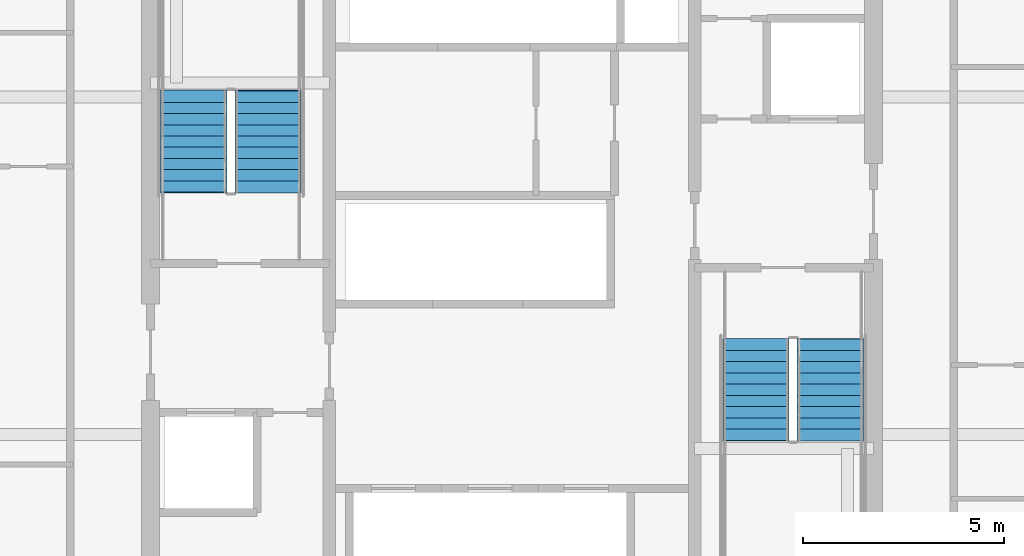
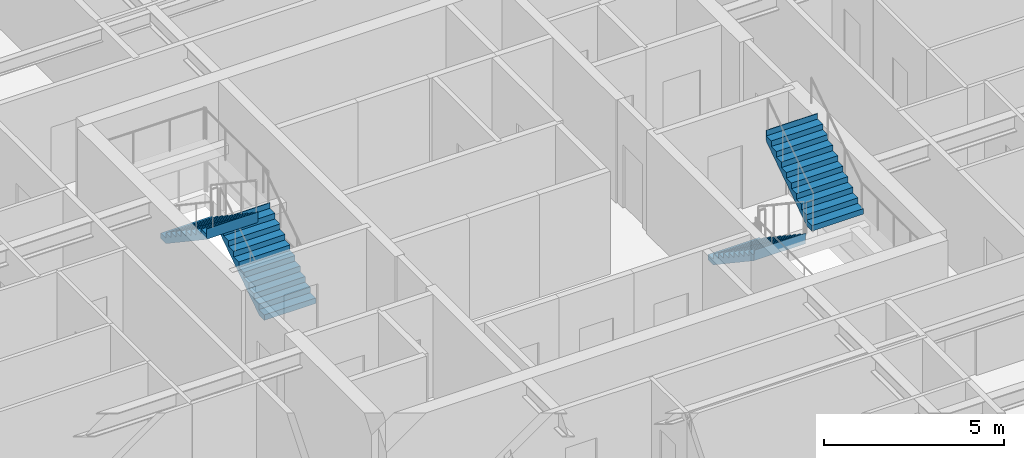
# One storey, part 32 of 37: 4 stair flights, 2 elements without a shape of their own.
"""IFC4 building model written with IfcOpenShell, lengths in metres."""

from ifc_helpers import new_model, si_unit, direction, frame, origin, place, context, subcontext, project, spatial, polygons, material, type_object, element, aggregate, save


model = new_model("IFC4")

# Units and contexts
model_context = context("Model", 3, precision=1e-05, world=origin(), true_north=direction((0.0, 1.0)))
body_context = subcontext(model_context, "Body", "Model", "MODEL_VIEW")
ifc_project = project(units=[si_unit("LENGTHUNIT", "METRE"), si_unit("AREAUNIT", "SQUARE_METRE"), si_unit("VOLUMEUNIT", "CUBIC_METRE"), si_unit("PLANEANGLEUNIT", "RADIAN"), si_unit("MASSUNIT", "GRAM", prefix="KILO")], contexts=[model_context])

# Site, building, storey
site_placement = place(None, origin())
site = spatial("IfcSite", under=ifc_project, at=site_placement, CompositionType="ELEMENT")
building_placement = place(site_placement, origin())
building = spatial("IfcBuilding", under=site, at=building_placement, Name="Serunith Strait Residences", CompositionType="ELEMENT")
storey_placement = place(building_placement, frame((0.0, 0.0, 26.699951171875)))
storey = spatial("IfcBuildingStorey", under=building, at=storey_placement, Name="L05", CompositionType="ELEMENT", Elevation=26.699951171875)

# Stair, stair flights
ifc_material = material(Name="Concrete C50/60", Category="concrete")
stair_type_1 = type_object("IfcStairType", Name="STR-CORE-1", PredefinedType="HALF_TURN_STAIR", material=ifc_material)
stair_1_placement = place(storey_placement, origin())
stair_1 = element("IfcStair", 1, at=stair_1_placement, inside=storey, type_object=stair_type_1, Name="L05 Protected Escape Stair ST-1", PredefinedType="HALF_TURN_STAIR")
stair_flight_type_1 = type_object("IfcStairFlightType", Name="FLT-CORE-1", PredefinedType="STRAIGHT", material=ifc_material)
stair_flight_1_placement = place(storey_placement, frame((26.324951171875, 27.030029296875, 0.0), z_axis=(0.0, 0.0, 1.0), x_axis=(0.0, 1.0, 0.0)))
stair_flight_1 = element("IfcStairFlight", 2, at=stair_flight_1_placement, type_object=stair_flight_type_1, Name="ST-1 flight 1", NumberOfRisers=10, NumberOfTreads=9, PredefinedType="STRAIGHT", RiserHeight=0.1875, TreadLength=0.28, context=body_context, shape_type="Tessellation", body=[
    polygons([(-0.02001953125, -0.824951171875, 0.0), (-0.02001953125, -0.824951171875, 0.1875), (0.280029296875, -0.824951171875, 0.1875), (0.280029296875, -0.824951171875, 0.375), (0.56005859375, -0.824951171875, 0.375), (0.56005859375, -0.824951171875, 0.5625), (0.840087890625, -0.824951171875, 0.5625), (0.840087890625, -0.824951171875, 0.75), (1.1201171875, -0.824951171875, 0.75), (1.1201171875, -0.824951171875, 0.9375), (1.39990234375, -0.824951171875, 0.9375), (1.39990234375, -0.824951171875, 1.125), (1.679931640625, -0.824951171875, 1.125), (1.679931640625, -0.824951171875, 1.3125), (1.9599609375, -0.824951171875, 1.3125), (1.9599609375, -0.824951171875, 1.5), (2.239990234375, -0.824951171875, 1.5), (2.239990234375, -0.824951171875, 1.6875), (2.52001953125, -0.824951171875, 1.6875), (2.52001953125, -0.824951171875, 1.875), (2.5400390625, -0.824951171875, 1.875), (2.5400390625, -0.824951171875, 1.81494140625), (2.52001953125, -0.824951171875, 1.507080078125), (0.26953125, -0.824951171875, 0.0), (-0.02001953125, -0.41259765625, 0.0), (-0.02001953125, -0.41259765625, 0.1875), (0.280029296875, -0.41259765625, 0.1875), (0.280029296875, -0.41259765625, 0.375), (0.56005859375, -0.41259765625, 0.375), (0.56005859375, -0.41259765625, 0.5625), (0.840087890625, -0.41259765625, 0.5625), (0.840087890625, -0.41259765625, 0.75), (1.1201171875, -0.41259765625, 0.75), (1.1201171875, -0.41259765625, 0.9375), (1.39990234375, -0.41259765625, 0.9375), (1.39990234375, -0.41259765625, 1.125), (1.679931640625, -0.41259765625, 1.125), (1.679931640625, -0.41259765625, 1.3125), (1.9599609375, -0.41259765625, 1.3125), (1.9599609375, -0.41259765625, 1.5), (2.239990234375, -0.41259765625, 1.5), (2.239990234375, -0.41259765625, 1.6875), (2.52001953125, -0.41259765625, 1.6875), (2.52001953125, -0.41259765625, 1.875), (2.5400390625, -0.41259765625, 1.875), (2.5400390625, -0.41259765625, 1.81494140625), (2.52001953125, -0.41259765625, 1.507080078125), (0.26953125, -0.41259765625, 0.0), (-0.02001953125, 0.0, 0.0), (-0.02001953125, 0.0, 0.1875), (0.280029296875, 0.0, 0.1875), (0.280029296875, 0.0, 0.375), (0.56005859375, 0.0, 0.375), (0.56005859375, 0.0, 0.5625), (0.840087890625, 0.0, 0.5625), (0.840087890625, 0.0, 0.75), (1.1201171875, 0.0, 0.75), (1.1201171875, 0.0, 0.9375), (1.39990234375, 0.0, 0.9375), (1.39990234375, 0.0, 1.125), (1.679931640625, 0.0, 1.125), (1.679931640625, 0.0, 1.3125), (1.9599609375, 0.0, 1.3125), (1.9599609375, 0.0, 1.5), (2.239990234375, 0.0, 1.5), (2.239990234375, 0.0, 1.6875), (2.52001953125, 0.0, 1.6875), (2.52001953125, 0.0, 1.875), (2.5400390625, 0.0, 1.875), (2.5400390625, 0.0, 1.81494140625), (2.52001953125, 0.0, 1.507080078125), (0.26953125, 0.0, 0.0), (-0.02001953125, 0.41259765625, 0.0), (-0.02001953125, 0.41259765625, 0.1875), (0.280029296875, 0.41259765625, 0.1875), (0.280029296875, 0.41259765625, 0.375), (0.56005859375, 0.41259765625, 0.375), (0.56005859375, 0.41259765625, 0.5625), (0.840087890625, 0.41259765625, 0.5625), (0.840087890625, 0.41259765625, 0.75), (1.1201171875, 0.41259765625, 0.75), (1.1201171875, 0.41259765625, 0.9375), (1.39990234375, 0.41259765625, 0.9375), (1.39990234375, 0.41259765625, 1.125), (1.679931640625, 0.41259765625, 1.125), (1.679931640625, 0.41259765625, 1.3125), (1.9599609375, 0.41259765625, 1.3125), (1.9599609375, 0.41259765625, 1.5), (2.239990234375, 0.41259765625, 1.5), (2.239990234375, 0.41259765625, 1.6875), (2.52001953125, 0.41259765625, 1.6875), (2.52001953125, 0.41259765625, 1.875), (2.5400390625, 0.41259765625, 1.875), (2.5400390625, 0.41259765625, 1.81494140625), (2.52001953125, 0.41259765625, 1.507080078125), (0.26953125, 0.41259765625, 0.0), (-0.02001953125, 0.824951171875, 0.0), (-0.02001953125, 0.824951171875, 0.1875), (0.280029296875, 0.824951171875, 0.1875), (0.280029296875, 0.824951171875, 0.375), (0.56005859375, 0.824951171875, 0.375), (0.56005859375, 0.824951171875, 0.5625), (0.840087890625, 0.824951171875, 0.5625), (0.840087890625, 0.824951171875, 0.75), (1.1201171875, 0.824951171875, 0.75), (1.1201171875, 0.824951171875, 0.9375), (1.39990234375, 0.824951171875, 0.9375), (1.39990234375, 0.824951171875, 1.125), (1.679931640625, 0.824951171875, 1.125), (1.679931640625, 0.824951171875, 1.3125), (1.9599609375, 0.824951171875, 1.3125), (1.9599609375, 0.824951171875, 1.5), (2.239990234375, 0.824951171875, 1.5), (2.239990234375, 0.824951171875, 1.6875), (2.52001953125, 0.824951171875, 1.6875), (2.52001953125, 0.824951171875, 1.875), (2.5400390625, 0.824951171875, 1.875), (2.5400390625, 0.824951171875, 1.81494140625), (2.52001953125, 0.824951171875, 1.507080078125), (0.26953125, 0.824951171875, 0.0)], [[[1, 2, 26, 25]], [[2, 3, 27, 26]], [[3, 4, 28, 27]], [[4, 5, 29, 28]], [[5, 6, 30, 29]], [[6, 7, 31, 30]], [[7, 8, 32, 31]], [[8, 9, 33, 32]], [[9, 10, 34, 33]], [[10, 11, 35, 34]], [[11, 12, 36, 35]], [[12, 13, 37, 36]], [[13, 14, 38, 37]], [[14, 15, 39, 38]], [[15, 16, 40, 39]], [[16, 17, 41, 40]], [[17, 18, 42, 41]], [[18, 19, 43, 42]], [[19, 20, 44, 43]], [[20, 21, 45, 44]], [[21, 22, 46, 45]], [[22, 23, 47, 46]], [[23, 24, 48, 47]], [[24, 1, 25, 48]], [[25, 26, 50, 49]], [[26, 27, 51, 50]], [[27, 28, 52, 51]], [[28, 29, 53, 52]], [[29, 30, 54, 53]], [[30, 31, 55, 54]], [[31, 32, 56, 55]], [[32, 33, 57, 56]], [[33, 34, 58, 57]], [[34, 35, 59, 58]], [[35, 36, 60, 59]], [[36, 37, 61, 60]], [[37, 38, 62, 61]], [[38, 39, 63, 62]], [[39, 40, 64, 63]], [[40, 41, 65, 64]], [[41, 42, 66, 65]], [[42, 43, 67, 66]], [[43, 44, 68, 67]], [[44, 45, 69, 68]], [[45, 46, 70, 69]], [[46, 47, 71, 70]], [[47, 48, 72, 71]], [[48, 25, 49, 72]], [[49, 50, 74, 73]], [[50, 51, 75, 74]], [[51, 52, 76, 75]], [[52, 53, 77, 76]], [[53, 54, 78, 77]], [[54, 55, 79, 78]], [[55, 56, 80, 79]], [[56, 57, 81, 80]], [[57, 58, 82, 81]], [[58, 59, 83, 82]], [[59, 60, 84, 83]], [[60, 61, 85, 84]], [[61, 62, 86, 85]], [[62, 63, 87, 86]], [[63, 64, 88, 87]], [[64, 65, 89, 88]], [[65, 66, 90, 89]], [[66, 67, 91, 90]], [[67, 68, 92, 91]], [[68, 69, 93, 92]], [[69, 70, 94, 93]], [[70, 71, 95, 94]], [[71, 72, 96, 95]], [[72, 49, 73, 96]], [[73, 74, 98, 97]], [[74, 75, 99, 98]], [[75, 76, 100, 99]], [[76, 77, 101, 100]], [[77, 78, 102, 101]], [[78, 79, 103, 102]], [[79, 80, 104, 103]], [[80, 81, 105, 104]], [[81, 82, 106, 105]], [[82, 83, 107, 106]], [[83, 84, 108, 107]], [[84, 85, 109, 108]], [[85, 86, 110, 109]], [[86, 87, 111, 110]], [[87, 88, 112, 111]], [[88, 89, 113, 112]], [[89, 90, 114, 113]], [[90, 91, 115, 114]], [[91, 92, 116, 115]], [[92, 93, 117, 116]], [[93, 94, 118, 117]], [[94, 95, 119, 118]], [[95, 96, 120, 119]], [[96, 73, 97, 120]], [[24, 23, 22, 21, 20, 19, 18, 17, 16, 15, 14, 13, 12, 11, 10, 9, 8, 7, 6, 5, 4, 3, 2, 1]], [[97, 98, 99, 100, 101, 102, 103, 104, 105, 106, 107, 108, 109, 110, 111, 112, 113, 114, 115, 116, 117, 118, 119, 120]]], closed=True),
])
stair_flight_2_placement = place(storey_placement, frame((24.47509765625, 29.550048828125, 1.875), z_axis=(0.0, 0.0, 1.0), x_axis=(0.0, -1.0, 0.0)))
stair_flight_2 = element("IfcStairFlight", 3, at=stair_flight_2_placement, type_object=stair_flight_type_1, Name="ST-1 flight 2", NumberOfRisers=10, NumberOfTreads=9, PredefinedType="STRAIGHT", RiserHeight=0.1875, TreadLength=0.28, context=body_context, shape_type="Tessellation", body=[
    polygons([(-0.02001953125, -0.824951171875, 0.0), (-0.02001953125, -0.824951171875, 0.1875), (0.280029296875, -0.824951171875, 0.1875), (0.280029296875, -0.824951171875, 0.375), (0.56005859375, -0.824951171875, 0.375), (0.56005859375, -0.824951171875, 0.5625), (0.840087890625, -0.824951171875, 0.5625), (0.840087890625, -0.824951171875, 0.75), (1.1201171875, -0.824951171875, 0.75), (1.1201171875, -0.824951171875, 0.9375), (1.39990234375, -0.824951171875, 0.9375), (1.39990234375, -0.824951171875, 1.125), (1.679931640625, -0.824951171875, 1.125), (1.679931640625, -0.824951171875, 1.3125), (1.9599609375, -0.824951171875, 1.3125), (1.9599609375, -0.824951171875, 1.5), (2.239990234375, -0.824951171875, 1.5), (2.239990234375, -0.824951171875, 1.6875), (2.52001953125, -0.824951171875, 1.6875), (2.52001953125, -0.824951171875, 1.875), (2.5400390625, -0.824951171875, 1.875), (2.5400390625, -0.824951171875, 1.81494140625), (2.52001953125, -0.824951171875, 1.507080078125), (0.26953125, -0.824951171875, 0.0), (-0.02001953125, -0.41259765625, 0.0), (-0.02001953125, -0.41259765625, 0.1875), (0.280029296875, -0.41259765625, 0.1875), (0.280029296875, -0.41259765625, 0.375), (0.56005859375, -0.41259765625, 0.375), (0.56005859375, -0.41259765625, 0.5625), (0.840087890625, -0.41259765625, 0.5625), (0.840087890625, -0.41259765625, 0.75), (1.1201171875, -0.41259765625, 0.75), (1.1201171875, -0.41259765625, 0.9375), (1.39990234375, -0.41259765625, 0.9375), (1.39990234375, -0.41259765625, 1.125), (1.679931640625, -0.41259765625, 1.125), (1.679931640625, -0.41259765625, 1.3125), (1.9599609375, -0.41259765625, 1.3125), (1.9599609375, -0.41259765625, 1.5), (2.239990234375, -0.41259765625, 1.5), (2.239990234375, -0.41259765625, 1.6875), (2.52001953125, -0.41259765625, 1.6875), (2.52001953125, -0.41259765625, 1.875), (2.5400390625, -0.41259765625, 1.875), (2.5400390625, -0.41259765625, 1.81494140625), (2.52001953125, -0.41259765625, 1.507080078125), (0.26953125, -0.41259765625, 0.0), (-0.02001953125, 0.0, 0.0), (-0.02001953125, 0.0, 0.1875), (0.280029296875, 0.0, 0.1875), (0.280029296875, 0.0, 0.375), (0.56005859375, 0.0, 0.375), (0.56005859375, 0.0, 0.5625), (0.840087890625, 0.0, 0.5625), (0.840087890625, 0.0, 0.75), (1.1201171875, 0.0, 0.75), (1.1201171875, 0.0, 0.9375), (1.39990234375, 0.0, 0.9375), (1.39990234375, 0.0, 1.125), (1.679931640625, 0.0, 1.125), (1.679931640625, 0.0, 1.3125), (1.9599609375, 0.0, 1.3125), (1.9599609375, 0.0, 1.5), (2.239990234375, 0.0, 1.5), (2.239990234375, 0.0, 1.6875), (2.52001953125, 0.0, 1.6875), (2.52001953125, 0.0, 1.875), (2.5400390625, 0.0, 1.875), (2.5400390625, 0.0, 1.81494140625), (2.52001953125, 0.0, 1.507080078125), (0.26953125, 0.0, 0.0), (-0.02001953125, 0.41259765625, 0.0), (-0.02001953125, 0.41259765625, 0.1875), (0.280029296875, 0.41259765625, 0.1875), (0.280029296875, 0.41259765625, 0.375), (0.56005859375, 0.41259765625, 0.375), (0.56005859375, 0.41259765625, 0.5625), (0.840087890625, 0.41259765625, 0.5625), (0.840087890625, 0.41259765625, 0.75), (1.1201171875, 0.41259765625, 0.75), (1.1201171875, 0.41259765625, 0.9375), (1.39990234375, 0.41259765625, 0.9375), (1.39990234375, 0.41259765625, 1.125), (1.679931640625, 0.41259765625, 1.125), (1.679931640625, 0.41259765625, 1.3125), (1.9599609375, 0.41259765625, 1.3125), (1.9599609375, 0.41259765625, 1.5), (2.239990234375, 0.41259765625, 1.5), (2.239990234375, 0.41259765625, 1.6875), (2.52001953125, 0.41259765625, 1.6875), (2.52001953125, 0.41259765625, 1.875), (2.5400390625, 0.41259765625, 1.875), (2.5400390625, 0.41259765625, 1.81494140625), (2.52001953125, 0.41259765625, 1.507080078125), (0.26953125, 0.41259765625, 0.0), (-0.02001953125, 0.824951171875, 0.0), (-0.02001953125, 0.824951171875, 0.1875), (0.280029296875, 0.824951171875, 0.1875), (0.280029296875, 0.824951171875, 0.375), (0.56005859375, 0.824951171875, 0.375), (0.56005859375, 0.824951171875, 0.5625), (0.840087890625, 0.824951171875, 0.5625), (0.840087890625, 0.824951171875, 0.75), (1.1201171875, 0.824951171875, 0.75), (1.1201171875, 0.824951171875, 0.9375), (1.39990234375, 0.824951171875, 0.9375), (1.39990234375, 0.824951171875, 1.125), (1.679931640625, 0.824951171875, 1.125), (1.679931640625, 0.824951171875, 1.3125), (1.9599609375, 0.824951171875, 1.3125), (1.9599609375, 0.824951171875, 1.5), (2.239990234375, 0.824951171875, 1.5), (2.239990234375, 0.824951171875, 1.6875), (2.52001953125, 0.824951171875, 1.6875), (2.52001953125, 0.824951171875, 1.875), (2.5400390625, 0.824951171875, 1.875), (2.5400390625, 0.824951171875, 1.81494140625), (2.52001953125, 0.824951171875, 1.507080078125), (0.26953125, 0.824951171875, 0.0)], [[[1, 2, 26, 25]], [[2, 3, 27, 26]], [[3, 4, 28, 27]], [[4, 5, 29, 28]], [[5, 6, 30, 29]], [[6, 7, 31, 30]], [[7, 8, 32, 31]], [[8, 9, 33, 32]], [[9, 10, 34, 33]], [[10, 11, 35, 34]], [[11, 12, 36, 35]], [[12, 13, 37, 36]], [[13, 14, 38, 37]], [[14, 15, 39, 38]], [[15, 16, 40, 39]], [[16, 17, 41, 40]], [[17, 18, 42, 41]], [[18, 19, 43, 42]], [[19, 20, 44, 43]], [[20, 21, 45, 44]], [[21, 22, 46, 45]], [[22, 23, 47, 46]], [[23, 24, 48, 47]], [[24, 1, 25, 48]], [[25, 26, 50, 49]], [[26, 27, 51, 50]], [[27, 28, 52, 51]], [[28, 29, 53, 52]], [[29, 30, 54, 53]], [[30, 31, 55, 54]], [[31, 32, 56, 55]], [[32, 33, 57, 56]], [[33, 34, 58, 57]], [[34, 35, 59, 58]], [[35, 36, 60, 59]], [[36, 37, 61, 60]], [[37, 38, 62, 61]], [[38, 39, 63, 62]], [[39, 40, 64, 63]], [[40, 41, 65, 64]], [[41, 42, 66, 65]], [[42, 43, 67, 66]], [[43, 44, 68, 67]], [[44, 45, 69, 68]], [[45, 46, 70, 69]], [[46, 47, 71, 70]], [[47, 48, 72, 71]], [[48, 25, 49, 72]], [[49, 50, 74, 73]], [[50, 51, 75, 74]], [[51, 52, 76, 75]], [[52, 53, 77, 76]], [[53, 54, 78, 77]], [[54, 55, 79, 78]], [[55, 56, 80, 79]], [[56, 57, 81, 80]], [[57, 58, 82, 81]], [[58, 59, 83, 82]], [[59, 60, 84, 83]], [[60, 61, 85, 84]], [[61, 62, 86, 85]], [[62, 63, 87, 86]], [[63, 64, 88, 87]], [[64, 65, 89, 88]], [[65, 66, 90, 89]], [[66, 67, 91, 90]], [[67, 68, 92, 91]], [[68, 69, 93, 92]], [[69, 70, 94, 93]], [[70, 71, 95, 94]], [[71, 72, 96, 95]], [[72, 49, 73, 96]], [[73, 74, 98, 97]], [[74, 75, 99, 98]], [[75, 76, 100, 99]], [[76, 77, 101, 100]], [[77, 78, 102, 101]], [[78, 79, 103, 102]], [[79, 80, 104, 103]], [[80, 81, 105, 104]], [[81, 82, 106, 105]], [[82, 83, 107, 106]], [[83, 84, 108, 107]], [[84, 85, 109, 108]], [[85, 86, 110, 109]], [[86, 87, 111, 110]], [[87, 88, 112, 111]], [[88, 89, 113, 112]], [[89, 90, 114, 113]], [[90, 91, 115, 114]], [[91, 92, 116, 115]], [[92, 93, 117, 116]], [[93, 94, 118, 117]], [[94, 95, 119, 118]], [[95, 96, 120, 119]], [[96, 73, 97, 120]], [[24, 23, 22, 21, 20, 19, 18, 17, 16, 15, 14, 13, 12, 11, 10, 9, 8, 7, 6, 5, 4, 3, 2, 1]], [[97, 98, 99, 100, 101, 102, 103, 104, 105, 106, 107, 108, 109, 110, 111, 112, 113, 114, 115, 116, 117, 118, 119, 120]]], closed=True),
])
aggregate(stair_1, [stair_flight_1, stair_flight_2])

stair_type_2 = type_object("IfcStairType", Name="STR-CORE-2", PredefinedType="HALF_TURN_STAIR", material=ifc_material)
stair_2_placement = place(storey_placement, origin())
stair_2 = element("IfcStair", 4, at=stair_2_placement, inside=storey, type_object=stair_type_2, Name="L05 Protected Escape Stair ST-2", PredefinedType="HALF_TURN_STAIR")
stair_flight_type_2 = type_object("IfcStairFlightType", Name="FLT-CORE-2", PredefinedType="STRAIGHT", material=ifc_material)
stair_flight_3_placement = place(storey_placement, frame((38.47509765625, 23.3701171875, 0.0), z_axis=(0.0, 0.0, 1.0), x_axis=(0.0, -1.0, 0.0)))
stair_flight_3 = element("IfcStairFlight", 5, at=stair_flight_3_placement, type_object=stair_flight_type_2, Name="ST-2 flight 1", NumberOfRisers=10, NumberOfTreads=9, PredefinedType="STRAIGHT", RiserHeight=0.1875, TreadLength=0.28, context=body_context, shape_type="Tessellation", body=[
    polygons([(-0.02001953125, -0.824951171875, 0.0), (-0.02001953125, -0.824951171875, 0.1875), (0.280029296875, -0.824951171875, 0.1875), (0.280029296875, -0.824951171875, 0.375), (0.56005859375, -0.824951171875, 0.375), (0.56005859375, -0.824951171875, 0.5625), (0.840087890625, -0.824951171875, 0.5625), (0.840087890625, -0.824951171875, 0.75), (1.1201171875, -0.824951171875, 0.75), (1.1201171875, -0.824951171875, 0.9375), (1.39990234375, -0.824951171875, 0.9375), (1.39990234375, -0.824951171875, 1.125), (1.679931640625, -0.824951171875, 1.125), (1.679931640625, -0.824951171875, 1.3125), (1.9599609375, -0.824951171875, 1.3125), (1.9599609375, -0.824951171875, 1.5), (2.239990234375, -0.824951171875, 1.5), (2.239990234375, -0.824951171875, 1.6875), (2.52001953125, -0.824951171875, 1.6875), (2.52001953125, -0.824951171875, 1.875), (2.5400390625, -0.824951171875, 1.875), (2.5400390625, -0.824951171875, 1.81494140625), (2.52001953125, -0.824951171875, 1.507080078125), (0.26953125, -0.824951171875, 0.0), (-0.02001953125, -0.41259765625, 0.0), (-0.02001953125, -0.41259765625, 0.1875), (0.280029296875, -0.41259765625, 0.1875), (0.280029296875, -0.41259765625, 0.375), (0.56005859375, -0.41259765625, 0.375), (0.56005859375, -0.41259765625, 0.5625), (0.840087890625, -0.41259765625, 0.5625), (0.840087890625, -0.41259765625, 0.75), (1.1201171875, -0.41259765625, 0.75), (1.1201171875, -0.41259765625, 0.9375), (1.39990234375, -0.41259765625, 0.9375), (1.39990234375, -0.41259765625, 1.125), (1.679931640625, -0.41259765625, 1.125), (1.679931640625, -0.41259765625, 1.3125), (1.9599609375, -0.41259765625, 1.3125), (1.9599609375, -0.41259765625, 1.5), (2.239990234375, -0.41259765625, 1.5), (2.239990234375, -0.41259765625, 1.6875), (2.52001953125, -0.41259765625, 1.6875), (2.52001953125, -0.41259765625, 1.875), (2.5400390625, -0.41259765625, 1.875), (2.5400390625, -0.41259765625, 1.81494140625), (2.52001953125, -0.41259765625, 1.507080078125), (0.26953125, -0.41259765625, 0.0), (-0.02001953125, 0.0, 0.0), (-0.02001953125, 0.0, 0.1875), (0.280029296875, 0.0, 0.1875), (0.280029296875, 0.0, 0.375), (0.56005859375, 0.0, 0.375), (0.56005859375, 0.0, 0.5625), (0.840087890625, 0.0, 0.5625), (0.840087890625, 0.0, 0.75), (1.1201171875, 0.0, 0.75), (1.1201171875, 0.0, 0.9375), (1.39990234375, 0.0, 0.9375), (1.39990234375, 0.0, 1.125), (1.679931640625, 0.0, 1.125), (1.679931640625, 0.0, 1.3125), (1.9599609375, 0.0, 1.3125), (1.9599609375, 0.0, 1.5), (2.239990234375, 0.0, 1.5), (2.239990234375, 0.0, 1.6875), (2.52001953125, 0.0, 1.6875), (2.52001953125, 0.0, 1.875), (2.5400390625, 0.0, 1.875), (2.5400390625, 0.0, 1.81494140625), (2.52001953125, 0.0, 1.507080078125), (0.26953125, 0.0, 0.0), (-0.02001953125, 0.41259765625, 0.0), (-0.02001953125, 0.41259765625, 0.1875), (0.280029296875, 0.41259765625, 0.1875), (0.280029296875, 0.41259765625, 0.375), (0.56005859375, 0.41259765625, 0.375), (0.56005859375, 0.41259765625, 0.5625), (0.840087890625, 0.41259765625, 0.5625), (0.840087890625, 0.41259765625, 0.75), (1.1201171875, 0.41259765625, 0.75), (1.1201171875, 0.41259765625, 0.9375), (1.39990234375, 0.41259765625, 0.9375), (1.39990234375, 0.41259765625, 1.125), (1.679931640625, 0.41259765625, 1.125), (1.679931640625, 0.41259765625, 1.3125), (1.9599609375, 0.41259765625, 1.3125), (1.9599609375, 0.41259765625, 1.5), (2.239990234375, 0.41259765625, 1.5), (2.239990234375, 0.41259765625, 1.6875), (2.52001953125, 0.41259765625, 1.6875), (2.52001953125, 0.41259765625, 1.875), (2.5400390625, 0.41259765625, 1.875), (2.5400390625, 0.41259765625, 1.81494140625), (2.52001953125, 0.41259765625, 1.507080078125), (0.26953125, 0.41259765625, 0.0), (-0.02001953125, 0.824951171875, 0.0), (-0.02001953125, 0.824951171875, 0.1875), (0.280029296875, 0.824951171875, 0.1875), (0.280029296875, 0.824951171875, 0.375), (0.56005859375, 0.824951171875, 0.375), (0.56005859375, 0.824951171875, 0.5625), (0.840087890625, 0.824951171875, 0.5625), (0.840087890625, 0.824951171875, 0.75), (1.1201171875, 0.824951171875, 0.75), (1.1201171875, 0.824951171875, 0.9375), (1.39990234375, 0.824951171875, 0.9375), (1.39990234375, 0.824951171875, 1.125), (1.679931640625, 0.824951171875, 1.125), (1.679931640625, 0.824951171875, 1.3125), (1.9599609375, 0.824951171875, 1.3125), (1.9599609375, 0.824951171875, 1.5), (2.239990234375, 0.824951171875, 1.5), (2.239990234375, 0.824951171875, 1.6875), (2.52001953125, 0.824951171875, 1.6875), (2.52001953125, 0.824951171875, 1.875), (2.5400390625, 0.824951171875, 1.875), (2.5400390625, 0.824951171875, 1.81494140625), (2.52001953125, 0.824951171875, 1.507080078125), (0.26953125, 0.824951171875, 0.0)], [[[1, 2, 26, 25]], [[2, 3, 27, 26]], [[3, 4, 28, 27]], [[4, 5, 29, 28]], [[5, 6, 30, 29]], [[6, 7, 31, 30]], [[7, 8, 32, 31]], [[8, 9, 33, 32]], [[9, 10, 34, 33]], [[10, 11, 35, 34]], [[11, 12, 36, 35]], [[12, 13, 37, 36]], [[13, 14, 38, 37]], [[14, 15, 39, 38]], [[15, 16, 40, 39]], [[16, 17, 41, 40]], [[17, 18, 42, 41]], [[18, 19, 43, 42]], [[19, 20, 44, 43]], [[20, 21, 45, 44]], [[21, 22, 46, 45]], [[22, 23, 47, 46]], [[23, 24, 48, 47]], [[24, 1, 25, 48]], [[25, 26, 50, 49]], [[26, 27, 51, 50]], [[27, 28, 52, 51]], [[28, 29, 53, 52]], [[29, 30, 54, 53]], [[30, 31, 55, 54]], [[31, 32, 56, 55]], [[32, 33, 57, 56]], [[33, 34, 58, 57]], [[34, 35, 59, 58]], [[35, 36, 60, 59]], [[36, 37, 61, 60]], [[37, 38, 62, 61]], [[38, 39, 63, 62]], [[39, 40, 64, 63]], [[40, 41, 65, 64]], [[41, 42, 66, 65]], [[42, 43, 67, 66]], [[43, 44, 68, 67]], [[44, 45, 69, 68]], [[45, 46, 70, 69]], [[46, 47, 71, 70]], [[47, 48, 72, 71]], [[48, 25, 49, 72]], [[49, 50, 74, 73]], [[50, 51, 75, 74]], [[51, 52, 76, 75]], [[52, 53, 77, 76]], [[53, 54, 78, 77]], [[54, 55, 79, 78]], [[55, 56, 80, 79]], [[56, 57, 81, 80]], [[57, 58, 82, 81]], [[58, 59, 83, 82]], [[59, 60, 84, 83]], [[60, 61, 85, 84]], [[61, 62, 86, 85]], [[62, 63, 87, 86]], [[63, 64, 88, 87]], [[64, 65, 89, 88]], [[65, 66, 90, 89]], [[66, 67, 91, 90]], [[67, 68, 92, 91]], [[68, 69, 93, 92]], [[69, 70, 94, 93]], [[70, 71, 95, 94]], [[71, 72, 96, 95]], [[72, 49, 73, 96]], [[73, 74, 98, 97]], [[74, 75, 99, 98]], [[75, 76, 100, 99]], [[76, 77, 101, 100]], [[77, 78, 102, 101]], [[78, 79, 103, 102]], [[79, 80, 104, 103]], [[80, 81, 105, 104]], [[81, 82, 106, 105]], [[82, 83, 107, 106]], [[83, 84, 108, 107]], [[84, 85, 109, 108]], [[85, 86, 110, 109]], [[86, 87, 111, 110]], [[87, 88, 112, 111]], [[88, 89, 113, 112]], [[89, 90, 114, 113]], [[90, 91, 115, 114]], [[91, 92, 116, 115]], [[92, 93, 117, 116]], [[93, 94, 118, 117]], [[94, 95, 119, 118]], [[95, 96, 120, 119]], [[96, 73, 97, 120]], [[24, 23, 22, 21, 20, 19, 18, 17, 16, 15, 14, 13, 12, 11, 10, 9, 8, 7, 6, 5, 4, 3, 2, 1]], [[97, 98, 99, 100, 101, 102, 103, 104, 105, 106, 107, 108, 109, 110, 111, 112, 113, 114, 115, 116, 117, 118, 119, 120]]], closed=True),
])
stair_flight_4_placement = place(storey_placement, frame((40.324951171875, 20.85009765625, 1.875), z_axis=(0.0, 0.0, 1.0), x_axis=(0.0, 1.0, 0.0)))
stair_flight_4 = element("IfcStairFlight", 6, at=stair_flight_4_placement, type_object=stair_flight_type_2, Name="ST-2 flight 2", NumberOfRisers=10, NumberOfTreads=9, PredefinedType="STRAIGHT", RiserHeight=0.1875, TreadLength=0.28, context=body_context, shape_type="Tessellation", body=[
    polygons([(-0.02001953125, -0.824951171875, 0.0), (-0.02001953125, -0.824951171875, 0.1875), (0.280029296875, -0.824951171875, 0.1875), (0.280029296875, -0.824951171875, 0.375), (0.56005859375, -0.824951171875, 0.375), (0.56005859375, -0.824951171875, 0.5625), (0.840087890625, -0.824951171875, 0.5625), (0.840087890625, -0.824951171875, 0.75), (1.1201171875, -0.824951171875, 0.75), (1.1201171875, -0.824951171875, 0.9375), (1.39990234375, -0.824951171875, 0.9375), (1.39990234375, -0.824951171875, 1.125), (1.679931640625, -0.824951171875, 1.125), (1.679931640625, -0.824951171875, 1.3125), (1.9599609375, -0.824951171875, 1.3125), (1.9599609375, -0.824951171875, 1.5), (2.239990234375, -0.824951171875, 1.5), (2.239990234375, -0.824951171875, 1.6875), (2.52001953125, -0.824951171875, 1.6875), (2.52001953125, -0.824951171875, 1.875), (2.5400390625, -0.824951171875, 1.875), (2.5400390625, -0.824951171875, 1.81494140625), (2.52001953125, -0.824951171875, 1.507080078125), (0.26953125, -0.824951171875, 0.0), (-0.02001953125, -0.41259765625, 0.0), (-0.02001953125, -0.41259765625, 0.1875), (0.280029296875, -0.41259765625, 0.1875), (0.280029296875, -0.41259765625, 0.375), (0.56005859375, -0.41259765625, 0.375), (0.56005859375, -0.41259765625, 0.5625), (0.840087890625, -0.41259765625, 0.5625), (0.840087890625, -0.41259765625, 0.75), (1.1201171875, -0.41259765625, 0.75), (1.1201171875, -0.41259765625, 0.9375), (1.39990234375, -0.41259765625, 0.9375), (1.39990234375, -0.41259765625, 1.125), (1.679931640625, -0.41259765625, 1.125), (1.679931640625, -0.41259765625, 1.3125), (1.9599609375, -0.41259765625, 1.3125), (1.9599609375, -0.41259765625, 1.5), (2.239990234375, -0.41259765625, 1.5), (2.239990234375, -0.41259765625, 1.6875), (2.52001953125, -0.41259765625, 1.6875), (2.52001953125, -0.41259765625, 1.875), (2.5400390625, -0.41259765625, 1.875), (2.5400390625, -0.41259765625, 1.81494140625), (2.52001953125, -0.41259765625, 1.507080078125), (0.26953125, -0.41259765625, 0.0), (-0.02001953125, 0.0, 0.0), (-0.02001953125, 0.0, 0.1875), (0.280029296875, 0.0, 0.1875), (0.280029296875, 0.0, 0.375), (0.56005859375, 0.0, 0.375), (0.56005859375, 0.0, 0.5625), (0.840087890625, 0.0, 0.5625), (0.840087890625, 0.0, 0.75), (1.1201171875, 0.0, 0.75), (1.1201171875, 0.0, 0.9375), (1.39990234375, 0.0, 0.9375), (1.39990234375, 0.0, 1.125), (1.679931640625, 0.0, 1.125), (1.679931640625, 0.0, 1.3125), (1.9599609375, 0.0, 1.3125), (1.9599609375, 0.0, 1.5), (2.239990234375, 0.0, 1.5), (2.239990234375, 0.0, 1.6875), (2.52001953125, 0.0, 1.6875), (2.52001953125, 0.0, 1.875), (2.5400390625, 0.0, 1.875), (2.5400390625, 0.0, 1.81494140625), (2.52001953125, 0.0, 1.507080078125), (0.26953125, 0.0, 0.0), (-0.02001953125, 0.41259765625, 0.0), (-0.02001953125, 0.41259765625, 0.1875), (0.280029296875, 0.41259765625, 0.1875), (0.280029296875, 0.41259765625, 0.375), (0.56005859375, 0.41259765625, 0.375), (0.56005859375, 0.41259765625, 0.5625), (0.840087890625, 0.41259765625, 0.5625), (0.840087890625, 0.41259765625, 0.75), (1.1201171875, 0.41259765625, 0.75), (1.1201171875, 0.41259765625, 0.9375), (1.39990234375, 0.41259765625, 0.9375), (1.39990234375, 0.41259765625, 1.125), (1.679931640625, 0.41259765625, 1.125), (1.679931640625, 0.41259765625, 1.3125), (1.9599609375, 0.41259765625, 1.3125), (1.9599609375, 0.41259765625, 1.5), (2.239990234375, 0.41259765625, 1.5), (2.239990234375, 0.41259765625, 1.6875), (2.52001953125, 0.41259765625, 1.6875), (2.52001953125, 0.41259765625, 1.875), (2.5400390625, 0.41259765625, 1.875), (2.5400390625, 0.41259765625, 1.81494140625), (2.52001953125, 0.41259765625, 1.507080078125), (0.26953125, 0.41259765625, 0.0), (-0.02001953125, 0.824951171875, 0.0), (-0.02001953125, 0.824951171875, 0.1875), (0.280029296875, 0.824951171875, 0.1875), (0.280029296875, 0.824951171875, 0.375), (0.56005859375, 0.824951171875, 0.375), (0.56005859375, 0.824951171875, 0.5625), (0.840087890625, 0.824951171875, 0.5625), (0.840087890625, 0.824951171875, 0.75), (1.1201171875, 0.824951171875, 0.75), (1.1201171875, 0.824951171875, 0.9375), (1.39990234375, 0.824951171875, 0.9375), (1.39990234375, 0.824951171875, 1.125), (1.679931640625, 0.824951171875, 1.125), (1.679931640625, 0.824951171875, 1.3125), (1.9599609375, 0.824951171875, 1.3125), (1.9599609375, 0.824951171875, 1.5), (2.239990234375, 0.824951171875, 1.5), (2.239990234375, 0.824951171875, 1.6875), (2.52001953125, 0.824951171875, 1.6875), (2.52001953125, 0.824951171875, 1.875), (2.5400390625, 0.824951171875, 1.875), (2.5400390625, 0.824951171875, 1.81494140625), (2.52001953125, 0.824951171875, 1.507080078125), (0.26953125, 0.824951171875, 0.0)], [[[1, 2, 26, 25]], [[2, 3, 27, 26]], [[3, 4, 28, 27]], [[4, 5, 29, 28]], [[5, 6, 30, 29]], [[6, 7, 31, 30]], [[7, 8, 32, 31]], [[8, 9, 33, 32]], [[9, 10, 34, 33]], [[10, 11, 35, 34]], [[11, 12, 36, 35]], [[12, 13, 37, 36]], [[13, 14, 38, 37]], [[14, 15, 39, 38]], [[15, 16, 40, 39]], [[16, 17, 41, 40]], [[17, 18, 42, 41]], [[18, 19, 43, 42]], [[19, 20, 44, 43]], [[20, 21, 45, 44]], [[21, 22, 46, 45]], [[22, 23, 47, 46]], [[23, 24, 48, 47]], [[24, 1, 25, 48]], [[25, 26, 50, 49]], [[26, 27, 51, 50]], [[27, 28, 52, 51]], [[28, 29, 53, 52]], [[29, 30, 54, 53]], [[30, 31, 55, 54]], [[31, 32, 56, 55]], [[32, 33, 57, 56]], [[33, 34, 58, 57]], [[34, 35, 59, 58]], [[35, 36, 60, 59]], [[36, 37, 61, 60]], [[37, 38, 62, 61]], [[38, 39, 63, 62]], [[39, 40, 64, 63]], [[40, 41, 65, 64]], [[41, 42, 66, 65]], [[42, 43, 67, 66]], [[43, 44, 68, 67]], [[44, 45, 69, 68]], [[45, 46, 70, 69]], [[46, 47, 71, 70]], [[47, 48, 72, 71]], [[48, 25, 49, 72]], [[49, 50, 74, 73]], [[50, 51, 75, 74]], [[51, 52, 76, 75]], [[52, 53, 77, 76]], [[53, 54, 78, 77]], [[54, 55, 79, 78]], [[55, 56, 80, 79]], [[56, 57, 81, 80]], [[57, 58, 82, 81]], [[58, 59, 83, 82]], [[59, 60, 84, 83]], [[60, 61, 85, 84]], [[61, 62, 86, 85]], [[62, 63, 87, 86]], [[63, 64, 88, 87]], [[64, 65, 89, 88]], [[65, 66, 90, 89]], [[66, 67, 91, 90]], [[67, 68, 92, 91]], [[68, 69, 93, 92]], [[69, 70, 94, 93]], [[70, 71, 95, 94]], [[71, 72, 96, 95]], [[72, 49, 73, 96]], [[73, 74, 98, 97]], [[74, 75, 99, 98]], [[75, 76, 100, 99]], [[76, 77, 101, 100]], [[77, 78, 102, 101]], [[78, 79, 103, 102]], [[79, 80, 104, 103]], [[80, 81, 105, 104]], [[81, 82, 106, 105]], [[82, 83, 107, 106]], [[83, 84, 108, 107]], [[84, 85, 109, 108]], [[85, 86, 110, 109]], [[86, 87, 111, 110]], [[87, 88, 112, 111]], [[88, 89, 113, 112]], [[89, 90, 114, 113]], [[90, 91, 115, 114]], [[91, 92, 116, 115]], [[92, 93, 117, 116]], [[93, 94, 118, 117]], [[94, 95, 119, 118]], [[95, 96, 120, 119]], [[96, 73, 97, 120]], [[24, 23, 22, 21, 20, 19, 18, 17, 16, 15, 14, 13, 12, 11, 10, 9, 8, 7, 6, 5, 4, 3, 2, 1]], [[97, 98, 99, 100, 101, 102, 103, 104, 105, 106, 107, 108, 109, 110, 111, 112, 113, 114, 115, 116, 117, 118, 119, 120]]], closed=True),
])
aggregate(stair_2, [stair_flight_3, stair_flight_4])

save(model, "model.ifc")
